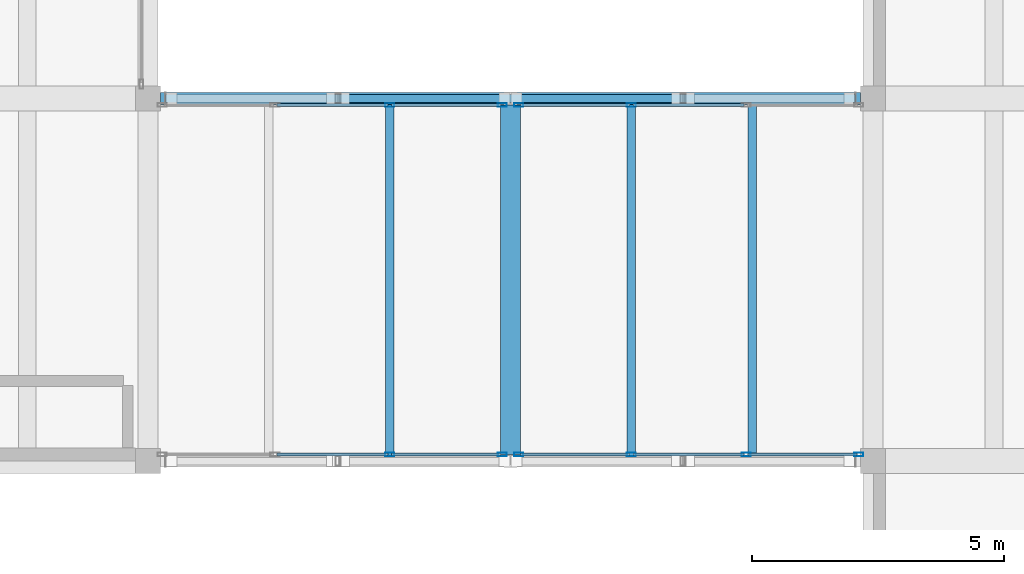
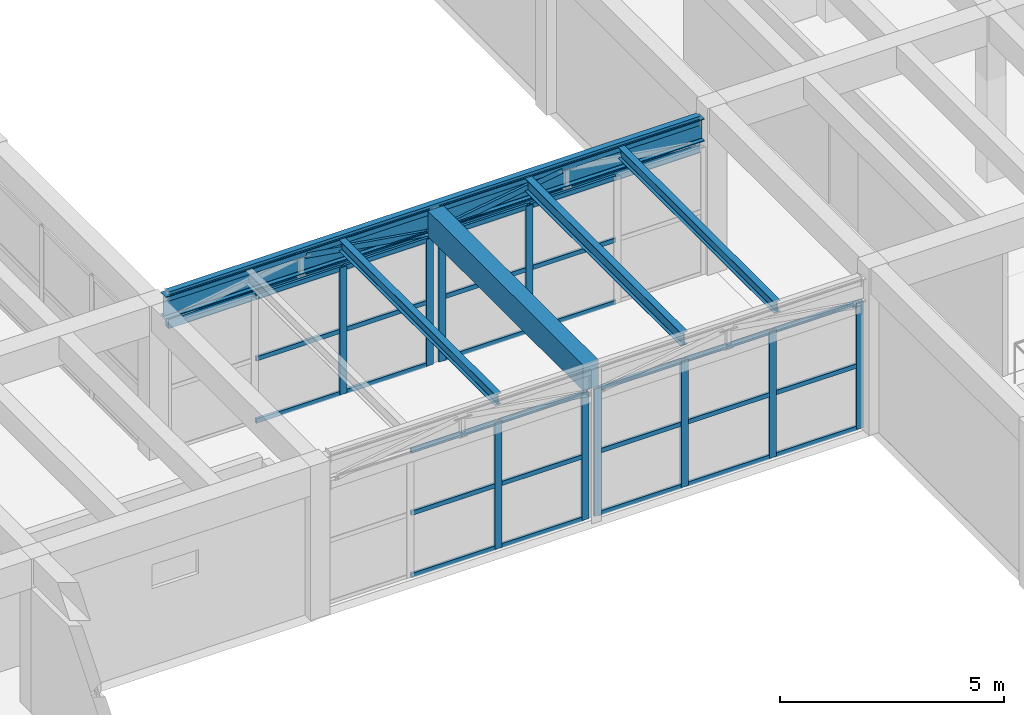
# One storey, part 25 of 153: 41 members, 6 beams, 4 elements without a shape of their own.
"""IFC4 building model written with IfcOpenShell, lengths in metres."""

from ifc_helpers import new_model, si_unit, direction, frame, origin, origin_2d, place, context, subcontext, project, spatial, rectangle, hollow_rectangle, i_section, extrude, material, material_profile, profile_set, type_object, element, aggregate, save


model = new_model("IFC4")

# Units and contexts
model_context = context("Model", 3, precision=1e-05, world=origin(), true_north=direction((0.0, 1.0)))
body_context = subcontext(model_context, "Body", "Model", "MODEL_VIEW")
ifc_project = project(units=[si_unit("LENGTHUNIT", "METRE"), si_unit("AREAUNIT", "SQUARE_METRE"), si_unit("VOLUMEUNIT", "CUBIC_METRE"), si_unit("PLANEANGLEUNIT", "RADIAN"), si_unit("MASSUNIT", "GRAM", prefix="KILO")], contexts=[model_context])

# Site, building, storey
site_placement = place(None, origin())
site = spatial("IfcSite", under=ifc_project, at=site_placement, CompositionType="ELEMENT")
building_placement = place(site_placement, origin())
building = spatial("IfcBuilding", under=site, at=building_placement, Name="Bramvelor Terrace Health Centre", CompositionType="ELEMENT")
storey_placement = place(building_placement, frame((0.0, 0.0, 4.800048828125)))
storey = spatial("IfcBuildingStorey", under=building, at=storey_placement, Name="L02", CompositionType="ELEMENT", Elevation=4.800048828125)

# Beams
ifc_material_1 = material(Name="Concrete C40/50", Category="concrete")
ifc_material_profile_1 = material_profile(ifc_material_1, rectangle(XDim=0.39990234375, YDim=0.699951171875, at=origin_2d()), Name="RC 400x700")
ifc_profile_set_1 = profile_set([ifc_material_profile_1], Name="Concrete C40/50")
beam_type_1 = type_object("IfcBeamType", Name="BM-RC-G700", PredefinedType="BEAM", material=ifc_profile_set_1)
beam_1_placement = place(storey_placement, frame((36.0, 50.530029296875, 3.849853515625), z_axis=(0.0, 1.0, 0.0), x_axis=(-1.0, 0.0, 0.0)))
element("IfcBeam", 1, at=beam_1_placement, inside=storey, type_object=beam_type_1, Name="L02 Floor Girder", PredefinedType="BEAM", context=body_context, shape_type="SweptSolid", body=[
    extrude(rectangle(XDim=0.39990234375, YDim=0.699951171875, at=origin_2d()), origin(), (0.0, 0.0, 1.0), 6.93994140625),
])
ifc_material_2 = material(Name="Steel S355J2", Category="steel")
ifc_material_profile_2 = material_profile(ifc_material_2, i_section(OverallWidth=0.1650390625, OverallDepth=0.303466796875, WebThickness=0.006103515625, FlangeThickness=0.01025390625, FilletRadius=0.0087890625, at=origin_2d()), Name="UB 305x165x40")
ifc_profile_set_2 = profile_set([ifc_material_profile_2], Name="Steel S355J2")
beam_type_2 = type_object("IfcBeamType", Name="BM-STL-UB305", PredefinedType="JOIST", material=ifc_profile_set_2)
for number, where, z_axis, x_axis, name in (
    (2, (33.60009765625, 50.514404296875, 4.04833984375), (0.0, 1.0, 0.0), (-1.0, 0.0, 0.0), "L02 Secondary Floor Joist"),
    (3, (40.800048828125, 50.514404296875, 4.04833984375), (0.0, 1.0, 0.0), (-1.0, 0.0, 0.0), "L02 Secondary Floor Joist"),
):
    element("IfcBeam", number, at=place(storey_placement, frame(where, z_axis=z_axis, x_axis=x_axis)), inside=storey, type_object=beam_type_2, Name=name, PredefinedType="JOIST", context=body_context, shape_type="SweptSolid", body=[
        extrude(i_section(OverallWidth=0.1650390625, OverallDepth=0.303466796875, WebThickness=0.006103515625, FlangeThickness=0.01025390625, FilletRadius=0.0087890625, at=origin_2d()), origin(), (0.0, 0.0, 1.0), 6.97119140625),
    ])
ifc_material_3 = material(Name="Steel S355J2", Category="steel")
ifc_material_profile_3 = material_profile(ifc_material_3, i_section(OverallWidth=0.17138671875, OverallDepth=0.35498046875, WebThickness=0.00732421875, FlangeThickness=0.011474609375, FilletRadius=0.01025390625, at=origin_2d()), Name="UB 356x171x51")
ifc_profile_set_3 = profile_set([ifc_material_profile_3], Name="Steel S355J2")
beam_type_3 = type_object("IfcBeamType", Name="BM-STL-UB356", PredefinedType="JOIST", material=ifc_profile_set_3)
beam_2_placement = place(storey_placement, frame((38.39990234375, 50.514404296875, 4.0224609375), z_axis=(0.0, 1.0, 0.0), x_axis=(-1.0, 0.0, 0.0)))
element("IfcBeam", 4, at=beam_2_placement, inside=storey, type_object=beam_type_3, Name="L02 Secondary Floor Joist", PredefinedType="JOIST", context=body_context, shape_type="SweptSolid", body=[
    extrude(i_section(OverallWidth=0.17138671875, OverallDepth=0.35498046875, WebThickness=0.00732421875, FlangeThickness=0.011474609375, FilletRadius=0.01025390625, at=origin_2d()), origin(), (0.0, 0.0, 1.0), 6.97119140625),
])
ifc_material_4 = material(Name="Steel S355J2", Category="steel")
ifc_material_profile_4 = material_profile(ifc_material_4, i_section(OverallWidth=0.22900390625, OverallDepth=0.6123046875, WebThickness=0.011962890625, FlangeThickness=0.01953125, FilletRadius=0.0126953125, at=origin_2d()), Name="UB 610x229x125")
ifc_profile_set_4 = profile_set([ifc_material_profile_4], Name="Steel S355J2")
beam_type_4 = type_object("IfcBeamType", Name="BM-STL-UB610", PredefinedType="BEAM", material=ifc_profile_set_4)
for number, where, z_axis, x_axis, name in (
    (5, (29.050048828125, 57.60009765625, 3.893798828125), (1.0, 0.0, 0.0), (0.0, 1.0, 0.0), "L02 Floor Girder"),
    (6, (36.128173828125, 57.60009765625, 3.893798828125), (1.0, 0.0, 0.0), (0.0, 1.0, 0.0), "L02 Floor Girder"),
):
    element("IfcBeam", number, at=place(storey_placement, frame(where, z_axis=z_axis, x_axis=x_axis)), inside=storey, type_object=beam_type_4, Name=name, PredefinedType="BEAM", context=body_context, shape_type="SweptSolid", body=[
        extrude(i_section(OverallWidth=0.22900390625, OverallDepth=0.6123046875, WebThickness=0.011962890625, FlangeThickness=0.01953125, FilletRadius=0.0126953125, at=origin_2d()), origin(), (0.0, 0.0, 1.0), 6.82177734375),
    ])

# Curtain wall, members
ifc_material_5 = material(Name="Anodized aluminium and double low-E glass", Category="aluminium")
curtain_wall_type = type_object("IfcCurtainWallType", Name="CW-SYS-01", PredefinedType="NOTDEFINED", material=ifc_material_5)
curtain_wall_1_placement = place(storey_placement, origin())
curtain_wall_1 = element("IfcCurtainWall", 7, at=curtain_wall_1_placement, inside=storey, type_object=curtain_wall_type, Name="L02 Unitized Curtain Wall 123", PredefinedType="NOTDEFINED")
ifc_material_6 = material(Name="Anodized aluminium 6063-T6", Category="aluminium")
ifc_material_profile_5 = material_profile(ifc_material_6, hollow_rectangle(XDim=0.074951171875, YDim=0.179931640625, WallThickness=0.00341796875, at=origin_2d()), Name="ALU-MUL 75x180x3.5")
ifc_profile_set_5 = profile_set([ifc_material_profile_5], Name="Anodized aluminium 6063-T6")
member_type_1 = type_object("IfcMemberType", Name="CW-MUL-65x180", PredefinedType="MULLION", material=ifc_profile_set_5)
member_1_placement = place(storey_placement, frame((42.91748046875, 50.530029296875, 0.0), z_axis=(0.0, 0.0, 1.0), x_axis=(0.0, -1.0, 0.0)))
member_1 = element("IfcMember", 8, at=member_1_placement, type_object=member_type_1, Name="CW-01 mullion 1", PredefinedType="MULLION", context=body_context, shape_type="SweptSolid", body=[
    extrude(hollow_rectangle(XDim=0.074951171875, YDim=0.179931640625, WallThickness=0.00341796875, at=origin_2d()), origin(), (0.0, 0.0, 1.0), 3.4599609375),
])
member_2_placement = place(storey_placement, frame((40.677734375, 50.530029296875, 0.0), z_axis=(0.0, 0.0, 1.0), x_axis=(0.0, -1.0, 0.0)))
member_2 = element("IfcMember", 9, at=member_2_placement, type_object=member_type_1, Name="CW-01 mullion 2", PredefinedType="MULLION", context=body_context, shape_type="SweptSolid", body=[
    extrude(hollow_rectangle(XDim=0.074951171875, YDim=0.179931640625, WallThickness=0.00341796875, at=origin_2d()), origin(), (0.0, 0.0, 1.0), 3.4599609375),
])
member_3_placement = place(storey_placement, frame((38.400390625, 50.530029296875, 0.0), z_axis=(0.0, 0.0, 1.0), x_axis=(0.0, -1.0, 0.0)))
member_3 = element("IfcMember", 10, at=member_3_placement, type_object=member_type_1, Name="CW-01 mullion 3", PredefinedType="MULLION", context=body_context, shape_type="SweptSolid", body=[
    extrude(hollow_rectangle(XDim=0.074951171875, YDim=0.179931640625, WallThickness=0.00341796875, at=origin_2d()), origin(), (0.0, 0.0, 1.0), 3.4599609375),
])
member_4_placement = place(storey_placement, frame((36.16064453125, 50.530029296875, 0.0), z_axis=(0.0, 0.0, 1.0), x_axis=(0.0, -1.0, 0.0)))
member_4 = element("IfcMember", 11, at=member_4_placement, type_object=member_type_1, Name="CW-01 mullion 4", PredefinedType="MULLION", context=body_context, shape_type="SweptSolid", body=[
    extrude(hollow_rectangle(XDim=0.074951171875, YDim=0.179931640625, WallThickness=0.00341796875, at=origin_2d()), origin(), (0.0, 0.0, 1.0), 3.4599609375),
])

curtain_wall_2_placement = place(storey_placement, origin())
curtain_wall_2 = element("IfcCurtainWall", 12, at=curtain_wall_2_placement, inside=storey, type_object=curtain_wall_type, Name="L02 Unitized Curtain Wall 124", PredefinedType="NOTDEFINED")
member_5_placement = place(storey_placement, frame((35.83935546875, 50.530029296875, 0.0), z_axis=(0.0, 0.0, 1.0), x_axis=(0.0, -1.0, 0.0)))
member_5 = element("IfcMember", 13, at=member_5_placement, type_object=member_type_1, Name="CW-01 mullion 1", PredefinedType="MULLION", context=body_context, shape_type="SweptSolid", body=[
    extrude(hollow_rectangle(XDim=0.074951171875, YDim=0.179931640625, WallThickness=0.00341796875, at=origin_2d()), origin(), (0.0, 0.0, 1.0), 3.4599609375),
])
member_6_placement = place(storey_placement, frame((33.599609375, 50.530029296875, 0.0), z_axis=(0.0, 0.0, 1.0), x_axis=(0.0, -1.0, 0.0)))
member_6 = element("IfcMember", 14, at=member_6_placement, type_object=member_type_1, Name="CW-01 mullion 2", PredefinedType="MULLION", context=body_context, shape_type="SweptSolid", body=[
    extrude(hollow_rectangle(XDim=0.074951171875, YDim=0.179931640625, WallThickness=0.00341796875, at=origin_2d()), origin(), (0.0, 0.0, 1.0), 3.4599609375),
])

curtain_wall_3_placement = place(storey_placement, origin())
curtain_wall_3 = element("IfcCurtainWall", 15, at=curtain_wall_3_placement, inside=storey, type_object=curtain_wall_type, Name="L02 Unitized Curtain Wall 131", PredefinedType="NOTDEFINED")
member_7_placement = place(storey_placement, frame((33.599609375, 57.469970703125, 0.0), z_axis=(0.0, 0.0, 1.0), x_axis=(0.0, 1.0, 0.0)))
member_7 = element("IfcMember", 16, at=member_7_placement, type_object=member_type_1, Name="CW-01 mullion 3", PredefinedType="MULLION", context=body_context, shape_type="SweptSolid", body=[
    extrude(hollow_rectangle(XDim=0.074951171875, YDim=0.179931640625, WallThickness=0.00341796875, at=origin_2d()), origin(), (0.0, 0.0, 1.0), 3.4599609375),
])
member_8_placement = place(storey_placement, frame((35.83935546875, 57.469970703125, 0.0), z_axis=(0.0, 0.0, 1.0), x_axis=(0.0, 1.0, 0.0)))
member_8 = element("IfcMember", 17, at=member_8_placement, type_object=member_type_1, Name="CW-01 mullion 4", PredefinedType="MULLION", context=body_context, shape_type="SweptSolid", body=[
    extrude(hollow_rectangle(XDim=0.074951171875, YDim=0.179931640625, WallThickness=0.00341796875, at=origin_2d()), origin(), (0.0, 0.0, 1.0), 3.4599609375),
])

curtain_wall_4_placement = place(storey_placement, origin())
curtain_wall_4 = element("IfcCurtainWall", 18, at=curtain_wall_4_placement, inside=storey, type_object=curtain_wall_type, Name="L02 Unitized Curtain Wall 132", PredefinedType="NOTDEFINED")
member_9_placement = place(storey_placement, frame((36.16064453125, 57.469970703125, 0.0), z_axis=(0.0, 0.0, 1.0), x_axis=(0.0, 1.0, 0.0)))
member_9 = element("IfcMember", 19, at=member_9_placement, type_object=member_type_1, Name="CW-01 mullion 1", PredefinedType="MULLION", context=body_context, shape_type="SweptSolid", body=[
    extrude(hollow_rectangle(XDim=0.074951171875, YDim=0.179931640625, WallThickness=0.00341796875, at=origin_2d()), origin(), (0.0, 0.0, 1.0), 3.4599609375),
])
member_10_placement = place(storey_placement, frame((38.400390625, 57.469970703125, 0.0), z_axis=(0.0, 0.0, 1.0), x_axis=(0.0, 1.0, 0.0)))
member_10 = element("IfcMember", 20, at=member_10_placement, type_object=member_type_1, Name="CW-01 mullion 2", PredefinedType="MULLION", context=body_context, shape_type="SweptSolid", body=[
    extrude(hollow_rectangle(XDim=0.074951171875, YDim=0.179931640625, WallThickness=0.00341796875, at=origin_2d()), origin(), (0.0, 0.0, 1.0), 3.4599609375),
])

# Member
ifc_material_7 = material(Name="Anodized aluminium 6063-T6", Category="aluminium")
ifc_material_profile_6 = material_profile(ifc_material_7, hollow_rectangle(XDim=0.06494140625, YDim=0.1201171875, WallThickness=0.0029296875, at=origin_2d()), Name="ALU-TRN 65x120x3.0")
ifc_profile_set_6 = profile_set([ifc_material_profile_6], Name="Anodized aluminium 6063-T6")
member_type_2 = type_object("IfcMemberType", Name="CW-TRN-65x150", PredefinedType="USERDEFINED", material=ifc_profile_set_6)
member_11_placement = place(storey_placement, frame((42.8798828125, 50.530029296875, 0.032470703125), z_axis=(-1.0, 0.0, 0.0), x_axis=(0.0, -1.0, 0.0)))
member_11 = element("IfcMember", 21, at=member_11_placement, type_object=member_type_2, Name="CW-01 transom 1.1", ObjectType="TRANSOM", PredefinedType="USERDEFINED", context=body_context, shape_type="SweptSolid", body=[
    extrude(hollow_rectangle(XDim=0.06494140625, YDim=0.1201171875, WallThickness=0.0029296875, at=origin_2d()), origin(), (0.0, 0.0, 1.0), 2.16455078125),
])

member_12_placement = place(storey_placement, frame((42.8798828125, 50.530029296875, 1.72998046875), z_axis=(-1.0, 0.0, 0.0), x_axis=(0.0, -1.0, 0.0)))
member_12 = element("IfcMember", 22, at=member_12_placement, type_object=member_type_2, Name="CW-01 transom 1.2", ObjectType="TRANSOM", PredefinedType="USERDEFINED", context=body_context, shape_type="SweptSolid", body=[
    extrude(hollow_rectangle(XDim=0.06494140625, YDim=0.1201171875, WallThickness=0.0029296875, at=origin_2d()), origin(), (0.0, 0.0, 1.0), 2.16455078125),
])

member_13_placement = place(storey_placement, frame((42.8798828125, 50.530029296875, 3.427490234375), z_axis=(-1.0, 0.0, 0.0), x_axis=(0.0, -1.0, 0.0)))
member_13 = element("IfcMember", 23, at=member_13_placement, type_object=member_type_2, Name="CW-01 transom 1.3", ObjectType="TRANSOM", PredefinedType="USERDEFINED", context=body_context, shape_type="SweptSolid", body=[
    extrude(hollow_rectangle(XDim=0.06494140625, YDim=0.1201171875, WallThickness=0.0029296875, at=origin_2d()), origin(), (0.0, 0.0, 1.0), 2.16455078125),
])

member_14_placement = place(storey_placement, frame((40.64013671875, 50.530029296875, 0.032470703125), z_axis=(-1.0, 0.0, 0.0), x_axis=(0.0, -1.0, 0.0)))
member_14 = element("IfcMember", 24, at=member_14_placement, type_object=member_type_2, Name="CW-01 transom 2.1", ObjectType="TRANSOM", PredefinedType="USERDEFINED", context=body_context, shape_type="SweptSolid", body=[
    extrude(hollow_rectangle(XDim=0.06494140625, YDim=0.1201171875, WallThickness=0.0029296875, at=origin_2d()), origin(), (0.0, 0.0, 1.0), 2.2021484375),
])

member_15_placement = place(storey_placement, frame((40.64013671875, 50.530029296875, 1.72998046875), z_axis=(-1.0, 0.0, 0.0), x_axis=(0.0, -1.0, 0.0)))
member_15 = element("IfcMember", 25, at=member_15_placement, type_object=member_type_2, Name="CW-01 transom 2.2", ObjectType="TRANSOM", PredefinedType="USERDEFINED", context=body_context, shape_type="SweptSolid", body=[
    extrude(hollow_rectangle(XDim=0.06494140625, YDim=0.1201171875, WallThickness=0.0029296875, at=origin_2d()), origin(), (0.0, 0.0, 1.0), 2.2021484375),
])

member_16_placement = place(storey_placement, frame((40.64013671875, 50.530029296875, 3.427490234375), z_axis=(-1.0, 0.0, 0.0), x_axis=(0.0, -1.0, 0.0)))
member_16 = element("IfcMember", 26, at=member_16_placement, type_object=member_type_2, Name="CW-01 transom 2.3", ObjectType="TRANSOM", PredefinedType="USERDEFINED", context=body_context, shape_type="SweptSolid", body=[
    extrude(hollow_rectangle(XDim=0.06494140625, YDim=0.1201171875, WallThickness=0.0029296875, at=origin_2d()), origin(), (0.0, 0.0, 1.0), 2.2021484375),
])

member_17_placement = place(storey_placement, frame((38.363037109375, 50.530029296875, 0.032470703125), z_axis=(-1.0, 0.0, 0.0), x_axis=(0.0, -1.0, 0.0)))
member_17 = element("IfcMember", 27, at=member_17_placement, type_object=member_type_2, Name="CW-01 transom 3.1", ObjectType="TRANSOM", PredefinedType="USERDEFINED", context=body_context, shape_type="SweptSolid", body=[
    extrude(hollow_rectangle(XDim=0.06494140625, YDim=0.1201171875, WallThickness=0.0029296875, at=origin_2d()), origin(), (0.0, 0.0, 1.0), 2.164794921875),
])

member_18_placement = place(storey_placement, frame((38.363037109375, 50.530029296875, 1.72998046875), z_axis=(-1.0, 0.0, 0.0), x_axis=(0.0, -1.0, 0.0)))
member_18 = element("IfcMember", 28, at=member_18_placement, type_object=member_type_2, Name="CW-01 transom 3.2", ObjectType="TRANSOM", PredefinedType="USERDEFINED", context=body_context, shape_type="SweptSolid", body=[
    extrude(hollow_rectangle(XDim=0.06494140625, YDim=0.1201171875, WallThickness=0.0029296875, at=origin_2d()), origin(), (0.0, 0.0, 1.0), 2.164794921875),
])

member_19_placement = place(storey_placement, frame((38.363037109375, 50.530029296875, 3.427490234375), z_axis=(-1.0, 0.0, 0.0), x_axis=(0.0, -1.0, 0.0)))
member_19 = element("IfcMember", 29, at=member_19_placement, type_object=member_type_2, Name="CW-01 transom 3.3", ObjectType="TRANSOM", PredefinedType="USERDEFINED", context=body_context, shape_type="SweptSolid", body=[
    extrude(hollow_rectangle(XDim=0.06494140625, YDim=0.1201171875, WallThickness=0.0029296875, at=origin_2d()), origin(), (0.0, 0.0, 1.0), 2.164794921875),
])

aggregate(curtain_wall_1, [member_1, member_2, member_3, member_4, member_11, member_12, member_13, member_14, member_15, member_16, member_17, member_18, member_19])

member_20_placement = place(storey_placement, frame((35.8017578125, 50.530029296875, 0.032470703125), z_axis=(-1.0, 0.0, 0.0), x_axis=(0.0, -1.0, 0.0)))
member_20 = element("IfcMember", 30, at=member_20_placement, type_object=member_type_2, Name="CW-01 transom 1.1", ObjectType="TRANSOM", PredefinedType="USERDEFINED", context=body_context, shape_type="SweptSolid", body=[
    extrude(hollow_rectangle(XDim=0.06494140625, YDim=0.1201171875, WallThickness=0.0029296875, at=origin_2d()), origin(), (0.0, 0.0, 1.0), 2.164794921875),
])

member_21_placement = place(storey_placement, frame((35.8017578125, 50.530029296875, 1.72998046875), z_axis=(-1.0, 0.0, 0.0), x_axis=(0.0, -1.0, 0.0)))
member_21 = element("IfcMember", 31, at=member_21_placement, type_object=member_type_2, Name="CW-01 transom 1.2", ObjectType="TRANSOM", PredefinedType="USERDEFINED", context=body_context, shape_type="SweptSolid", body=[
    extrude(hollow_rectangle(XDim=0.06494140625, YDim=0.1201171875, WallThickness=0.0029296875, at=origin_2d()), origin(), (0.0, 0.0, 1.0), 2.164794921875),
])

member_22_placement = place(storey_placement, frame((35.8017578125, 50.530029296875, 3.427490234375), z_axis=(-1.0, 0.0, 0.0), x_axis=(0.0, -1.0, 0.0)))
member_22 = element("IfcMember", 32, at=member_22_placement, type_object=member_type_2, Name="CW-01 transom 1.3", ObjectType="TRANSOM", PredefinedType="USERDEFINED", context=body_context, shape_type="SweptSolid", body=[
    extrude(hollow_rectangle(XDim=0.06494140625, YDim=0.1201171875, WallThickness=0.0029296875, at=origin_2d()), origin(), (0.0, 0.0, 1.0), 2.164794921875),
])

member_23_placement = place(storey_placement, frame((33.56201171875, 50.530029296875, 0.032470703125), z_axis=(-1.0, 0.0, 0.0), x_axis=(0.0, -1.0, 0.0)))
member_23 = element("IfcMember", 33, at=member_23_placement, type_object=member_type_2, Name="CW-01 transom 2.1", ObjectType="TRANSOM", PredefinedType="USERDEFINED", context=body_context, shape_type="SweptSolid", body=[
    extrude(hollow_rectangle(XDim=0.06494140625, YDim=0.1201171875, WallThickness=0.0029296875, at=origin_2d()), origin(), (0.0, 0.0, 1.0), 2.2021484375),
])

member_24_placement = place(storey_placement, frame((33.56201171875, 50.530029296875, 1.72998046875), z_axis=(-1.0, 0.0, 0.0), x_axis=(0.0, -1.0, 0.0)))
member_24 = element("IfcMember", 34, at=member_24_placement, type_object=member_type_2, Name="CW-01 transom 2.2", ObjectType="TRANSOM", PredefinedType="USERDEFINED", context=body_context, shape_type="SweptSolid", body=[
    extrude(hollow_rectangle(XDim=0.06494140625, YDim=0.1201171875, WallThickness=0.0029296875, at=origin_2d()), origin(), (0.0, 0.0, 1.0), 2.2021484375),
])

member_25_placement = place(storey_placement, frame((33.56201171875, 50.530029296875, 3.427490234375), z_axis=(-1.0, 0.0, 0.0), x_axis=(0.0, -1.0, 0.0)))
member_25 = element("IfcMember", 35, at=member_25_placement, type_object=member_type_2, Name="CW-01 transom 2.3", ObjectType="TRANSOM", PredefinedType="USERDEFINED", context=body_context, shape_type="SweptSolid", body=[
    extrude(hollow_rectangle(XDim=0.06494140625, YDim=0.1201171875, WallThickness=0.0029296875, at=origin_2d()), origin(), (0.0, 0.0, 1.0), 2.2021484375),
])

aggregate(curtain_wall_2, [member_5, member_6, member_20, member_21, member_22, member_23, member_24, member_25])

member_26_placement = place(storey_placement, frame((31.35986328125, 57.469970703125, 0.032470703125), z_axis=(1.0, 0.0, 0.0), x_axis=(0.0, 1.0, 0.0)))
member_26 = element("IfcMember", 36, at=member_26_placement, type_object=member_type_2, Name="CW-01 transom 2.1", ObjectType="TRANSOM", PredefinedType="USERDEFINED", context=body_context, shape_type="SweptSolid", body=[
    extrude(hollow_rectangle(XDim=0.06494140625, YDim=0.1201171875, WallThickness=0.0029296875, at=origin_2d()), origin(), (0.0, 0.0, 1.0), 2.2021484375),
])

member_27_placement = place(storey_placement, frame((31.35986328125, 57.469970703125, 1.72998046875), z_axis=(1.0, 0.0, 0.0), x_axis=(0.0, 1.0, 0.0)))
member_27 = element("IfcMember", 37, at=member_27_placement, type_object=member_type_2, Name="CW-01 transom 2.2", ObjectType="TRANSOM", PredefinedType="USERDEFINED", context=body_context, shape_type="SweptSolid", body=[
    extrude(hollow_rectangle(XDim=0.06494140625, YDim=0.1201171875, WallThickness=0.0029296875, at=origin_2d()), origin(), (0.0, 0.0, 1.0), 2.2021484375),
])

member_28_placement = place(storey_placement, frame((31.35986328125, 57.469970703125, 3.427490234375), z_axis=(1.0, 0.0, 0.0), x_axis=(0.0, 1.0, 0.0)))
member_28 = element("IfcMember", 38, at=member_28_placement, type_object=member_type_2, Name="CW-01 transom 2.3", ObjectType="TRANSOM", PredefinedType="USERDEFINED", context=body_context, shape_type="SweptSolid", body=[
    extrude(hollow_rectangle(XDim=0.06494140625, YDim=0.1201171875, WallThickness=0.0029296875, at=origin_2d()), origin(), (0.0, 0.0, 1.0), 2.2021484375),
])

member_29_placement = place(storey_placement, frame((33.636962890625, 57.469970703125, 0.032470703125), z_axis=(1.0, 0.0, 0.0), x_axis=(0.0, 1.0, 0.0)))
member_29 = element("IfcMember", 39, at=member_29_placement, type_object=member_type_2, Name="CW-01 transom 3.1", ObjectType="TRANSOM", PredefinedType="USERDEFINED", context=body_context, shape_type="SweptSolid", body=[
    extrude(hollow_rectangle(XDim=0.06494140625, YDim=0.1201171875, WallThickness=0.0029296875, at=origin_2d()), origin(), (0.0, 0.0, 1.0), 2.164794921875),
])

member_30_placement = place(storey_placement, frame((33.636962890625, 57.469970703125, 1.72998046875), z_axis=(1.0, 0.0, 0.0), x_axis=(0.0, 1.0, 0.0)))
member_30 = element("IfcMember", 40, at=member_30_placement, type_object=member_type_2, Name="CW-01 transom 3.2", ObjectType="TRANSOM", PredefinedType="USERDEFINED", context=body_context, shape_type="SweptSolid", body=[
    extrude(hollow_rectangle(XDim=0.06494140625, YDim=0.1201171875, WallThickness=0.0029296875, at=origin_2d()), origin(), (0.0, 0.0, 1.0), 2.164794921875),
])

member_31_placement = place(storey_placement, frame((33.636962890625, 57.469970703125, 3.427490234375), z_axis=(1.0, 0.0, 0.0), x_axis=(0.0, 1.0, 0.0)))
member_31 = element("IfcMember", 41, at=member_31_placement, type_object=member_type_2, Name="CW-01 transom 3.3", ObjectType="TRANSOM", PredefinedType="USERDEFINED", context=body_context, shape_type="SweptSolid", body=[
    extrude(hollow_rectangle(XDim=0.06494140625, YDim=0.1201171875, WallThickness=0.0029296875, at=origin_2d()), origin(), (0.0, 0.0, 1.0), 2.164794921875),
])

aggregate(curtain_wall_3, [member_7, member_8, member_26, member_27, member_28, member_29, member_30, member_31])

member_32_placement = place(storey_placement, frame((36.1982421875, 57.469970703125, 0.032470703125), z_axis=(1.0, 0.0, 0.0), x_axis=(0.0, 1.0, 0.0)))
member_32 = element("IfcMember", 42, at=member_32_placement, type_object=member_type_2, Name="CW-01 transom 1.1", ObjectType="TRANSOM", PredefinedType="USERDEFINED", context=body_context, shape_type="SweptSolid", body=[
    extrude(hollow_rectangle(XDim=0.06494140625, YDim=0.1201171875, WallThickness=0.0029296875, at=origin_2d()), origin(), (0.0, 0.0, 1.0), 2.164794921875),
])

member_33_placement = place(storey_placement, frame((36.1982421875, 57.469970703125, 1.72998046875), z_axis=(1.0, 0.0, 0.0), x_axis=(0.0, 1.0, 0.0)))
member_33 = element("IfcMember", 43, at=member_33_placement, type_object=member_type_2, Name="CW-01 transom 1.2", ObjectType="TRANSOM", PredefinedType="USERDEFINED", context=body_context, shape_type="SweptSolid", body=[
    extrude(hollow_rectangle(XDim=0.06494140625, YDim=0.1201171875, WallThickness=0.0029296875, at=origin_2d()), origin(), (0.0, 0.0, 1.0), 2.164794921875),
])

member_34_placement = place(storey_placement, frame((36.1982421875, 57.469970703125, 3.427490234375), z_axis=(1.0, 0.0, 0.0), x_axis=(0.0, 1.0, 0.0)))
member_34 = element("IfcMember", 44, at=member_34_placement, type_object=member_type_2, Name="CW-01 transom 1.3", ObjectType="TRANSOM", PredefinedType="USERDEFINED", context=body_context, shape_type="SweptSolid", body=[
    extrude(hollow_rectangle(XDim=0.06494140625, YDim=0.1201171875, WallThickness=0.0029296875, at=origin_2d()), origin(), (0.0, 0.0, 1.0), 2.164794921875),
])

member_35_placement = place(storey_placement, frame((38.43798828125, 57.469970703125, 0.032470703125), z_axis=(1.0, 0.0, 0.0), x_axis=(0.0, 1.0, 0.0)))
member_35 = element("IfcMember", 45, at=member_35_placement, type_object=member_type_2, Name="CW-01 transom 2.1", ObjectType="TRANSOM", PredefinedType="USERDEFINED", context=body_context, shape_type="SweptSolid", body=[
    extrude(hollow_rectangle(XDim=0.06494140625, YDim=0.1201171875, WallThickness=0.0029296875, at=origin_2d()), origin(), (0.0, 0.0, 1.0), 2.2021484375),
])

member_36_placement = place(storey_placement, frame((38.43798828125, 57.469970703125, 1.72998046875), z_axis=(1.0, 0.0, 0.0), x_axis=(0.0, 1.0, 0.0)))
member_36 = element("IfcMember", 46, at=member_36_placement, type_object=member_type_2, Name="CW-01 transom 2.2", ObjectType="TRANSOM", PredefinedType="USERDEFINED", context=body_context, shape_type="SweptSolid", body=[
    extrude(hollow_rectangle(XDim=0.06494140625, YDim=0.1201171875, WallThickness=0.0029296875, at=origin_2d()), origin(), (0.0, 0.0, 1.0), 2.2021484375),
])

member_37_placement = place(storey_placement, frame((38.43798828125, 57.469970703125, 3.427490234375), z_axis=(1.0, 0.0, 0.0), x_axis=(0.0, 1.0, 0.0)))
member_37 = element("IfcMember", 47, at=member_37_placement, type_object=member_type_2, Name="CW-01 transom 2.3", ObjectType="TRANSOM", PredefinedType="USERDEFINED", context=body_context, shape_type="SweptSolid", body=[
    extrude(hollow_rectangle(XDim=0.06494140625, YDim=0.1201171875, WallThickness=0.0029296875, at=origin_2d()), origin(), (0.0, 0.0, 1.0), 2.2021484375),
])

aggregate(curtain_wall_4, [member_9, member_10, member_32, member_33, member_34, member_35, member_36, member_37])

# Members
ifc_material_8 = material(Name="Steel S355J2", Category="steel")
ifc_material_profile_7 = material_profile(ifc_material_8, hollow_rectangle(XDim=0.14990234375, YDim=0.25, WallThickness=0.008056640625, at=origin_2d()), Name="RHS 250x150x8.0")
ifc_profile_set_7 = profile_set([ifc_material_profile_7], Name="Steel S355J2")
member_type_3 = type_object("IfcMemberType", Name="MEM-STL-RHS250", PredefinedType="CHORD", material=ifc_profile_set_7)
for number, where, z_axis, x_axis, name in (
    (48, (29.14990234375, 57.60009765625, 3.39990234375), (1.0, 0.0, 0.0), (0.0, 1.0, 0.0), "BR1 Bridge Truss Bottom Chord"),
    (49, (29.14990234375, 57.60009765625, 4.14990234375), (1.0, 0.0, 0.0), (0.0, 1.0, 0.0), "BR1 Bridge Truss Top Chord"),
):
    element("IfcMember", number, at=place(storey_placement, frame(where, z_axis=z_axis, x_axis=x_axis)), inside=storey, type_object=member_type_3, Name=name, PredefinedType="CHORD", context=body_context, shape_type="SweptSolid", body=[
        extrude(hollow_rectangle(XDim=0.14990234375, YDim=0.25, WallThickness=0.008056640625, at=origin_2d()), origin(), (0.0, 0.0, 1.0), 13.7001953125),
    ])
ifc_material_9 = material(Name="Steel S355J2", Category="steel")
ifc_material_profile_8 = material_profile(ifc_material_9, hollow_rectangle(XDim=0.14990234375, YDim=0.14990234375, WallThickness=0.00634765625, at=origin_2d()), Name="SHS 150x150x6.3")
ifc_profile_set_8 = profile_set([ifc_material_profile_8], Name="Steel S355J2")
member_type_4 = type_object("IfcMemberType", Name="MEM-STL-SHS150", PredefinedType="BRACE", material=ifc_profile_set_8)
for number, where, z_axis, x_axis, name in (
    (50, (32.695068359375, 57.60009765625, 4.030029296875), (0.987419367446, 0.0, -0.158123346768), (0.0, 1.0, 0.0), "BR1 Bridge Truss Web Diagonal 1"),
    (51, (36.1201171875, 57.60009765625, 3.52001953125), (0.987419367446, 0.0, 0.158123346768), (0.0, 1.0, 0.0), "BR1 Bridge Truss Web Diagonal 2"),
):
    element("IfcMember", number, at=place(storey_placement, frame(where, z_axis=z_axis, x_axis=x_axis)), inside=storey, type_object=member_type_4, Name=name, PredefinedType="BRACE", context=body_context, shape_type="SweptSolid", body=[
        extrude(hollow_rectangle(XDim=0.14990234375, YDim=0.14990234375, WallThickness=0.00634765625, at=origin_2d()), origin(), (0.0, 0.0, 1.0), 3.225341796875),
    ])

save(model, "model.ifc")
